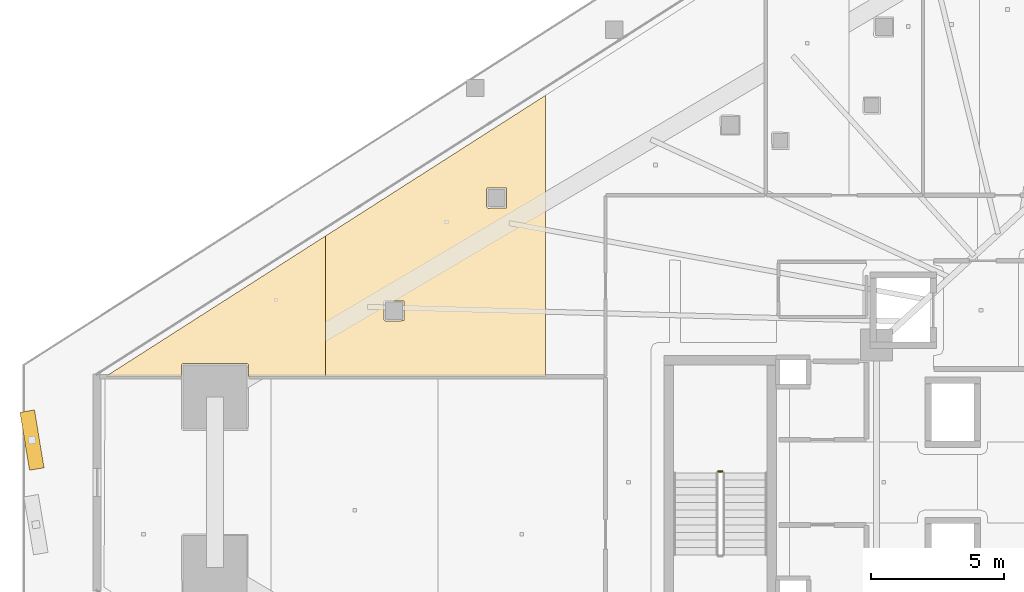
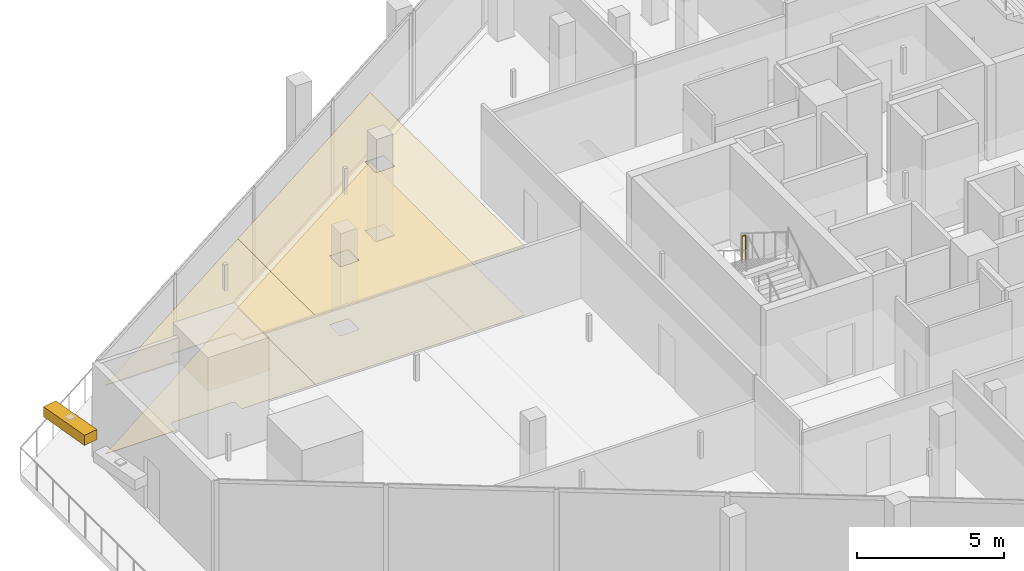
# One storey, part 41 of 45: 4 coverings, 1 railing, 1 shading device.
"""IFC4 building model written with IfcOpenShell, lengths in metres."""

from ifc_helpers import new_model, si_unit, direction, frame, origin, origin_2d, place, context, subcontext, project, spatial, polyline, rectangle, circle, outline, extrude, material, layer, layer_set, type_object, element, save


model = new_model("IFC4")

# Units and contexts
model_context = context("Model", 3, precision=1e-05, world=origin(), true_north=direction((0.0, 1.0)))
body_context = subcontext(model_context, "Body", "Model", "MODEL_VIEW")
ifc_project = project(units=[si_unit("LENGTHUNIT", "METRE"), si_unit("AREAUNIT", "SQUARE_METRE"), si_unit("VOLUMEUNIT", "CUBIC_METRE"), si_unit("PLANEANGLEUNIT", "RADIAN"), si_unit("MASSUNIT", "GRAM", prefix="KILO")], contexts=[model_context])

# Site, building, storey
site_placement = place(None, origin())
site = spatial("IfcSite", under=ifc_project, at=site_placement, CompositionType="ELEMENT")
building_placement = place(site_placement, origin())
building = spatial("IfcBuilding", under=site, at=building_placement, Name="Qorvath Tower", CompositionType="ELEMENT")
storey_placement = place(building_placement, frame((0.0, 0.0, 66.0)))
storey = spatial("IfcBuildingStorey", under=building, at=storey_placement, Name="L14", CompositionType="ELEMENT", Elevation=66.0)

# Coverings
ifc_material_1 = material(Name="Acoustic mineral fibre ceiling tile", Category="gypsum")
ifc_layer_1 = layer(ifc_material_1, 0.030029296875)
ifc_layer_set_1 = layer_set([ifc_layer_1], Name="COV-CEIL")
covering_type_1 = type_object("IfcCoveringType", Name="COV-CEIL", PredefinedType="CEILING", material=ifc_layer_set_1)
covering_1_placement = place(storey_placement, frame((0.0, 0.0, 2.85009765625)))
element("IfcCovering", 1, at=covering_1_placement, inside=storey, type_object=covering_type_1, Name="L14 Suspended Acoustic Ceiling 042", PredefinedType="CEILING", context=body_context, shape_type="SweptSolid", body=[
    extrude(outline(polyline([(-51.138427734375, 3.969482421875), (-51.138427734375, 9.234375), (-59.3759765625, 3.969482421875), (-56.54296875, 3.969482421875), (-56.54296875, 4.39453125), (-56.48291015625, 4.45458984375), (-54.0830078125, 4.45458984375), (-54.02294921875, 4.39453125), (-54.02294921875, 3.969482421875), (-51.138427734375, 3.969482421875)])), origin(), (0.0, 0.0, 1.0), 0.030029296875),
])
covering_2_placement = place(storey_placement, frame((0.0, 0.0, 2.85009765625)))
element("IfcCovering", 2, at=covering_2_placement, inside=storey, type_object=covering_type_1, Name="L14 Suspended Acoustic Ceiling 043", PredefinedType="CEILING", context=body_context, shape_type="SweptSolid", body=[
    extrude(outline(polyline([(-42.900634765625, 3.969482421875), (-42.900634765625, 14.499267578125), (-51.138427734375, 9.234375), (-51.138427734375, 3.969482421875), (-42.900634765625, 3.969482421875)]), holes=[polyline([(-45.121337890625, 10.327392578125), (-45.103759765625, 11.019775390625), (-44.368896484375, 11.019775390625), (-44.368896484375, 10.284912109375), (-45.061279296875, 10.267333984375), (-45.121337890625, 10.327392578125)]), polyline([(-48.96337890625, 6.099609375), (-48.94580078125, 6.7919921875), (-48.2109375, 6.7919921875), (-48.2109375, 6.05712890625), (-48.9033203125, 6.03955078125), (-48.96337890625, 6.099609375)])]), origin(), (0.0, 0.0, 1.0), 0.030029296875),
])
ifc_material_2 = material(Name="Low-VOC modular carpet tile", Category="textile")
ifc_layer_2 = layer(ifc_material_2, 0.014892578125)
ifc_layer_set_2 = layer_set([ifc_layer_2], Name="COV-FLOOR-CPT")
covering_type_2 = type_object("IfcCoveringType", Name="COV-FLOOR-CPT", PredefinedType="FLOORING", material=ifc_layer_set_2)
covering_3_placement = place(storey_placement, origin())
element("IfcCovering", 3, at=covering_3_placement, inside=storey, type_object=covering_type_2, Name="L14 Floor Finish 042", PredefinedType="FLOORING", context=body_context, shape_type="SweptSolid", body=[
    extrude(outline(polyline([(-51.138427734375, 3.969482421875), (-51.138427734375, 9.234375), (-59.3759765625, 3.969482421875), (-56.54296875, 3.969482421875), (-56.54296875, 4.39453125), (-56.48291015625, 4.45458984375), (-54.0830078125, 4.45458984375), (-54.02294921875, 4.39453125), (-54.02294921875, 3.969482421875), (-51.138427734375, 3.969482421875)])), origin(), (0.0, 0.0, 1.0), 0.014892578125),
])
covering_4_placement = place(storey_placement, origin())
element("IfcCovering", 4, at=covering_4_placement, inside=storey, type_object=covering_type_2, Name="L14 Floor Finish 043", PredefinedType="FLOORING", context=body_context, shape_type="SweptSolid", body=[
    extrude(outline(polyline([(-42.900634765625, 3.969482421875), (-42.900634765625, 14.499267578125), (-51.138427734375, 9.234375), (-51.138427734375, 3.969482421875), (-42.900634765625, 3.969482421875)]), holes=[polyline([(-45.121337890625, 10.327392578125), (-45.103759765625, 11.019775390625), (-44.368896484375, 11.019775390625), (-44.368896484375, 10.284912109375), (-45.061279296875, 10.267333984375), (-45.121337890625, 10.327392578125)]), polyline([(-48.96337890625, 6.099609375), (-48.94580078125, 6.7919921875), (-48.2109375, 6.7919921875), (-48.2109375, 6.05712890625), (-48.9033203125, 6.03955078125), (-48.96337890625, 6.099609375)])]), origin(), (0.0, 0.0, 1.0), 0.014892578125),
])

# Railing
ifc_material_3 = material(Name="Painted galvanised steel", Category="steel")
railing_type = type_object("IfcRailingType", Name="RL-STR-GRD", PredefinedType="GUARDRAIL", material=ifc_material_3)
railing_placement = place(storey_placement, frame((-36.280029296875, 0.409912109375, 2.10009765625)))
element("IfcRailing", 5, at=railing_placement, inside=storey, type_object=railing_type, Name="L14 TS3 stair guard 2", PredefinedType="GUARDRAIL", context=body_context, shape_type="SweptSolid", body=[
    extrude(circle(Radius=0.02392578125, at=origin_2d()), frame((0.0, 0.0, 1.076171875), z_axis=(-1.0, 0.0, 0.0), x_axis=(0.0, -1.0, 0.0)), (0.0, 0.0, 1.0), 0.14990234375),
    extrude(circle(Radius=0.02099609375, at=origin_2d()), origin(), (0.0, 0.0, 1.0), 1.052001953125),
    extrude(circle(Radius=0.02099609375, at=origin_2d()), frame((-0.14990234375, 0.0, 0.0)), (0.0, 0.0, 1.0), 1.052001953125),
])

# Shading device
ifc_material_4 = material(Name="Anodised bronze-champagne aluminium", Category="aluminium")
shading_device_type = type_object("IfcShadingDeviceType", Name="SD-LOUVRE", PredefinedType="JALOUSIE", material=ifc_material_4)
shading_device_placement = place(storey_placement, frame((-62.140625, 1.584228515625, 3.5), z_axis=(0.0, 0.0, 1.0), x_axis=(0.162332347183, -0.986736139532, 0.0)))
element("IfcShadingDevice", 6, at=shading_device_placement, inside=storey, type_object=shading_device_type, Name="Sinusoidal Wave Louvre Blade L14-01", PredefinedType="NOTDEFINED", context=body_context, shape_type="SweptSolid", body=[
    extrude(rectangle(XDim=2.199951171875, YDim=0.550048828125, at=origin_2d()), origin(), (0.0, 0.0, 1.0), 0.419921875),
])

save(model, "model.ifc")
